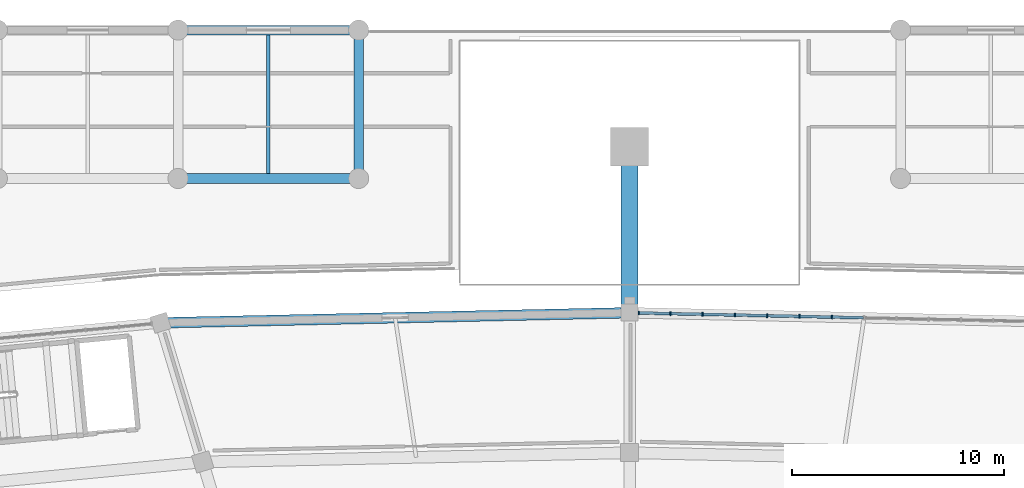
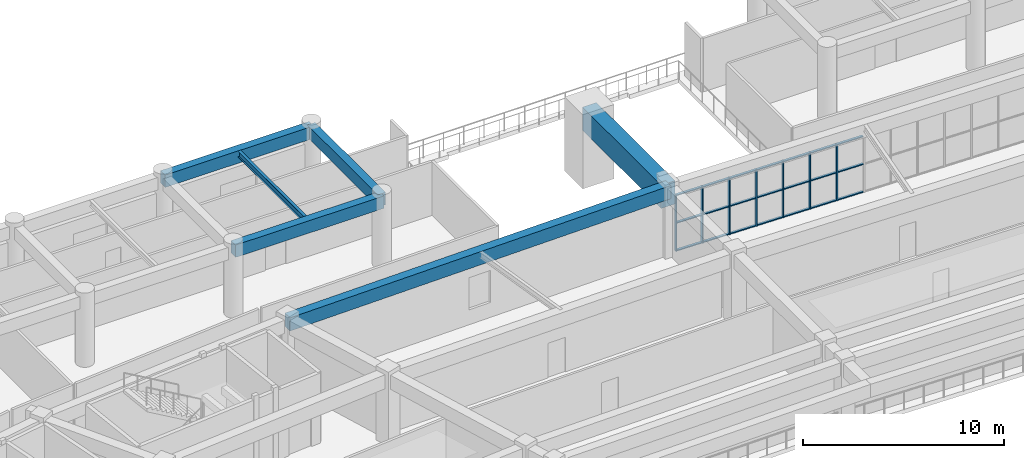
# One storey, part 67 of 145: 28 members, 6 beams, 1 element without a shape of its own.
"""IFC4 building model written with IfcOpenShell, lengths in metres."""

from ifc_helpers import new_model, si_unit, direction, frame, origin, origin_2d, place, context, subcontext, project, spatial, rectangle, i_section, extrude, material, layer, layer_set, material_profile, profile_set, type_object, element, aggregate, save


model = new_model("IFC4")

# Units and contexts
model_context = context("Model", 3, precision=1e-05, world=origin(), true_north=direction((0.0, 1.0)))
body_context = subcontext(model_context, "Body", "Model", "MODEL_VIEW")
ifc_project = project(units=[si_unit("LENGTHUNIT", "METRE"), si_unit("AREAUNIT", "SQUARE_METRE"), si_unit("VOLUMEUNIT", "CUBIC_METRE"), si_unit("PLANEANGLEUNIT", "RADIAN"), si_unit("MASSUNIT", "GRAM", prefix="KILO")], contexts=[model_context])

# Site, building, storey
site_placement = place(None, origin())
site = spatial("IfcSite", under=ifc_project, at=site_placement, CompositionType="ELEMENT")
building_placement = place(site_placement, origin())
building = spatial("IfcBuilding", under=site, at=building_placement, Name="Mphavela Belvedere Stadium", CompositionType="ELEMENT")
storey_placement = place(building_placement, frame((0.0, 0.0, 10.199951171875)))
storey = spatial("IfcBuildingStorey", under=building, at=storey_placement, Name="L02", CompositionType="ELEMENT", Elevation=10.199951171875)

# Beams
ifc_material_1 = material(Name="Concrete C50/60", Category="concrete")
ifc_material_profile_1 = material_profile(ifc_material_1, rectangle(XDim=0.800048828125, YDim=1.39990234375, at=origin_2d()), Name="RC 800x1400")
ifc_profile_set_1 = profile_set([ifc_material_profile_1], Name="Concrete C50/60")
beam_type_1 = type_object("IfcBeamType", Name="BM-BUTTRESS-TIE-1400", PredefinedType="BEAM", material=ifc_profile_set_1)
beam_1_placement = place(storey_placement, frame((115.0, 160.669921875, 3.550048828125), z_axis=(0.0, 1.0, 0.0), x_axis=(-1.0, 0.0, 0.0)))
element("IfcBeam", 1, at=beam_1_placement, inside=storey, type_object=beam_type_1, Name="Mast buttress tie girder L02", PredefinedType="BEAM", context=body_context, shape_type="SweptSolid", body=[
    extrude(rectangle(XDim=0.800048828125, YDim=1.39990234375, at=origin_2d()), origin(), (0.0, 0.0, 1.0), 7.830078125),
])
ifc_material_2 = material(Name="Steel S355", Category="steel")
ifc_material_profile_2 = material_profile(ifc_material_2, i_section(OverallWidth=0.169921875, OverallDepth=0.360107421875, WebThickness=0.008056640625, FlangeThickness=0.0126953125, at=origin_2d()), Name="IPE 360")
ifc_profile_set_2 = profile_set([ifc_material_profile_2], Name="Steel S355")
beam_type_2 = type_object("IfcBeamType", Name="BM-JOIST-IPE360", PredefinedType="JOIST", material=ifc_profile_set_2)
beam_2_placement = place(storey_placement, frame((97.962890625, 167.22509765625, 4.06005859375), z_axis=(0.0, 1.0, 0.0), x_axis=(-1.0, 0.0, 0.0)))
element("IfcBeam", 2, at=beam_2_placement, inside=storey, type_object=beam_type_2, Name="North Mast and Ceremonial End Forecourt secondary joist L02 12-7", PredefinedType="JOIST", context=body_context, shape_type="SweptSolid", body=[
    extrude(i_section(OverallWidth=0.169921875, OverallDepth=0.360107421875, WebThickness=0.008056640625, FlangeThickness=0.0126953125, at=origin_2d()), origin(), (0.0, 0.0, 1.0), 6.5498046875),
])
ifc_material_3 = material(Name="Concrete C40/50", Category="concrete")
ifc_material_profile_3 = material_profile(ifc_material_3, rectangle(XDim=0.449951171875, YDim=0.75, at=origin_2d()), Name="RC 450x750")
ifc_profile_set_3 = profile_set([ifc_material_profile_3], Name="Concrete C40/50")
beam_type_3 = type_object("IfcBeamType", Name="BM-RC450x750", PredefinedType="BEAM", material=ifc_profile_set_3)
for number, where, z_axis, x_axis, name in (
    (3, (93.7041015625, 167.0, 3.864990234375), (1.0, 0.0, 0.0), (0.0, 1.0, 0.0), "North Mast and Ceremonial End Forecourt entablature beam X L02 12-7"),
    (4, (93.7041015625, 174.0, 3.864990234375), (1.0, 0.0, 0.0), (0.0, 1.0, 0.0), "North Mast and Ceremonial End Forecourt entablature beam X L02 12-8"),
):
    element("IfcBeam", number, at=place(storey_placement, frame(where, z_axis=z_axis, x_axis=x_axis)), inside=storey, type_object=beam_type_3, Name=name, PredefinedType="BEAM", context=body_context, shape_type="SweptSolid", body=[
        extrude(rectangle(XDim=0.449951171875, YDim=0.75, at=origin_2d()), origin(), (0.0, 0.0, 1.0), 8.517822265625),
    ])
beam_3_placement = place(storey_placement, frame((102.221923828125, 167.0, 3.864990234375), z_axis=(0.0, 1.0, 0.0), x_axis=(-1.0, 0.0, 0.0)))
element("IfcBeam", 5, at=beam_3_placement, inside=storey, type_object=beam_type_3, Name="North Mast and Ceremonial End Forecourt entablature beam Y L02 13-7", PredefinedType="BEAM", context=body_context, shape_type="SweptSolid", body=[
    extrude(rectangle(XDim=0.449951171875, YDim=0.75, at=origin_2d()), origin(), (0.0, 0.0, 1.0), 7.0),
])
ifc_material_4 = material(Name="Concrete C40/50", Category="concrete")
ifc_material_profile_4 = material_profile(ifc_material_4, rectangle(XDim=0.5, YDim=0.800048828125, at=origin_2d()), Name="RC 500x800")
ifc_profile_set_4 = profile_set([ifc_material_profile_4], Name="Concrete C40/50")
beam_type_4 = type_object("IfcBeamType", Name="BM-SPANDREL-800", PredefinedType="SPANDREL", material=ifc_profile_set_4)
beam_4_placement = place(storey_placement, frame((115.0, 160.669921875, 3.85009765625), z_axis=(-0.999768359718, -0.021522706765, 0.0), x_axis=(0.021522706765, -0.999768359718, 0.0)))
element("IfcBeam", 6, at=beam_4_placement, inside=storey, type_object=beam_type_4, Name="Circumferential girder L02 R4-13", PredefinedType="SPANDREL", context=body_context, shape_type="SweptSolid", body=[
    extrude(rectangle(XDim=0.5, YDim=0.800048828125, at=origin_2d()), origin(), (0.0, 0.0, 1.0), 22.11962890625),
])

# Curtain wall, members
ifc_material_5 = material(Name="Anodised bronze unitised curtain wall framing")
ifc_layer = layer(ifc_material_5, 0.179931640625)
ifc_layer_set = layer_set([ifc_layer], Name="Anodised bronze unitised curtain wall framing")
curtain_wall_type = type_object("IfcCurtainWallType", Name="CW-UNIT-01", PredefinedType="USERDEFINED", material=ifc_layer_set)
curtain_wall_placement = place(storey_placement, origin())
curtain_wall = element("IfcCurtainWall", 7, at=curtain_wall_placement, inside=storey, type_object=curtain_wall_type, Name="Belvedere colonnade curtain wall L02-12", ObjectType="UNITISED CURTAIN WALL", PredefinedType="USERDEFINED")
ifc_material_6 = material(Name="Anodised bronze extruded aluminium", Category="aluminium")
ifc_material_profile_5 = material_profile(ifc_material_6, rectangle(XDim=0.179931640625, YDim=0.06494140625, at=origin_2d()), Name="CW-MUL 180x65")
ifc_profile_set_5 = profile_set([ifc_material_profile_5], Name="Anodised bronze extruded aluminium")
member_type_1 = type_object("IfcMemberType", Name="CWM-180x65", PredefinedType="MULLION", material=ifc_profile_set_5)
member_1_placement = place(storey_placement, frame((124.534423828125, 160.464599609375, 0.0), z_axis=(0.0, 0.0, 1.0), x_axis=(-0.021525304021, -0.999768303802, 0.0)))
member_1 = element("IfcMember", 8, at=member_1_placement, type_object=member_type_1, Name="CW-01 mullion 9", PredefinedType="MULLION", context=body_context, shape_type="SweptSolid", body=[
    extrude(rectangle(XDim=0.179931640625, YDim=0.06494140625, at=origin_2d()), origin(), (0.0, 0.0, 1.0), 3.420166015625),
])
member_2_placement = place(storey_placement, frame((123.01171875, 160.49755859375, 0.0), z_axis=(0.0, 0.0, 1.0), x_axis=(-0.021525304021, -0.999768303802, 0.0)))
member_2 = element("IfcMember", 9, at=member_2_placement, type_object=member_type_1, Name="CW-01 mullion 10", PredefinedType="MULLION", context=body_context, shape_type="SweptSolid", body=[
    extrude(rectangle(XDim=0.179931640625, YDim=0.06494140625, at=origin_2d()), origin(), (0.0, 0.0, 1.0), 3.420166015625),
])
member_3_placement = place(storey_placement, frame((121.489013671875, 160.5302734375, 0.0), z_axis=(0.0, 0.0, 1.0), x_axis=(-0.021525304021, -0.999768303802, 0.0)))
member_3 = element("IfcMember", 10, at=member_3_placement, type_object=member_type_1, Name="CW-01 mullion 11", PredefinedType="MULLION", context=body_context, shape_type="SweptSolid", body=[
    extrude(rectangle(XDim=0.179931640625, YDim=0.06494140625, at=origin_2d()), origin(), (0.0, 0.0, 1.0), 3.420166015625),
])
member_4_placement = place(storey_placement, frame((119.96630859375, 160.56298828125, 0.0), z_axis=(0.0, 0.0, 1.0), x_axis=(-0.021525304021, -0.999768303802, 0.0)))
member_4 = element("IfcMember", 11, at=member_4_placement, type_object=member_type_1, Name="CW-01 mullion 12", PredefinedType="MULLION", context=body_context, shape_type="SweptSolid", body=[
    extrude(rectangle(XDim=0.179931640625, YDim=0.06494140625, at=origin_2d()), origin(), (0.0, 0.0, 1.0), 3.420166015625),
])
member_5_placement = place(storey_placement, frame((118.443359375, 160.595947265625, 0.0), z_axis=(0.0, 0.0, 1.0), x_axis=(-0.021525304021, -0.999768303802, 0.0)))
member_5 = element("IfcMember", 12, at=member_5_placement, type_object=member_type_1, Name="CW-01 mullion 13", PredefinedType="MULLION", context=body_context, shape_type="SweptSolid", body=[
    extrude(rectangle(XDim=0.179931640625, YDim=0.06494140625, at=origin_2d()), origin(), (0.0, 0.0, 1.0), 3.420166015625),
])
member_6_placement = place(storey_placement, frame((116.920654296875, 160.628662109375, 0.0), z_axis=(0.0, 0.0, 1.0), x_axis=(-0.021525304021, -0.999768303802, 0.0)))
member_6 = element("IfcMember", 13, at=member_6_placement, type_object=member_type_1, Name="CW-01 mullion 14", PredefinedType="MULLION", context=body_context, shape_type="SweptSolid", body=[
    extrude(rectangle(XDim=0.179931640625, YDim=0.06494140625, at=origin_2d()), origin(), (0.0, 0.0, 1.0), 3.420166015625),
])
member_7_placement = place(storey_placement, frame((115.430419921875, 160.66064453125, 0.0), z_axis=(0.0, 0.0, 1.0), x_axis=(-0.021525304021, -0.999768303802, 0.0)))
member_7 = element("IfcMember", 14, at=member_7_placement, type_object=member_type_1, Name="CW-01 mullion 15", PredefinedType="MULLION", context=body_context, shape_type="SweptSolid", body=[
    extrude(rectangle(XDim=0.179931640625, YDim=0.06494140625, at=origin_2d()), origin(), (0.0, 0.0, 1.0), 3.420166015625),
])
ifc_material_7 = material(Name="Anodised bronze extruded aluminium", Category="aluminium")
ifc_material_profile_6 = material_profile(ifc_material_7, rectangle(XDim=0.139892578125, YDim=0.06005859375, at=origin_2d()), Name="CW-TRN 140x60")
ifc_profile_set_6 = profile_set([ifc_material_profile_6], Name="Anodised bronze extruded aluminium")
member_type_2 = type_object("IfcMemberType", Name="CWT-140x60", PredefinedType="USERDEFINED", material=ifc_profile_set_6)
member_8_placement = place(storey_placement, frame((126.02490234375, 160.4326171875, 0.030029296875), z_axis=(-0.999770307851, 0.021432021337, 0.0), x_axis=(-0.021432021337, -0.999770307851, 0.0)))
member_8 = element("IfcMember", 15, at=member_8_placement, type_object=member_type_2, Name="CW-01 transom 8.1", ObjectType="TRANSOM", PredefinedType="USERDEFINED", context=body_context, shape_type="SweptSolid", body=[
    extrude(rectangle(XDim=0.139892578125, YDim=0.06005859375, at=origin_2d()), origin(), (0.0, 0.0, 1.0), 1.4580078125),
])
member_9_placement = place(storey_placement, frame((126.02490234375, 160.4326171875, 1.7099609375), z_axis=(-0.999770307851, 0.021432021337, 0.0), x_axis=(-0.021432021337, -0.999770307851, 0.0)))
member_9 = element("IfcMember", 16, at=member_9_placement, type_object=member_type_2, Name="CW-01 transom 8.2", ObjectType="TRANSOM", PredefinedType="USERDEFINED", context=body_context, shape_type="SweptSolid", body=[
    extrude(rectangle(XDim=0.139892578125, YDim=0.06005859375, at=origin_2d()), origin(), (0.0, 0.0, 1.0), 1.4580078125),
])
member_10_placement = place(storey_placement, frame((126.02490234375, 160.4326171875, 3.39013671875), z_axis=(-0.999770307851, 0.021432021337, 0.0), x_axis=(-0.021432021337, -0.999770307851, 0.0)))
member_10 = element("IfcMember", 17, at=member_10_placement, type_object=member_type_2, Name="CW-01 transom 8.3", ObjectType="TRANSOM", PredefinedType="USERDEFINED", context=body_context, shape_type="SweptSolid", body=[
    extrude(rectangle(XDim=0.139892578125, YDim=0.06005859375, at=origin_2d()), origin(), (0.0, 0.0, 1.0), 1.4580078125),
])
member_11_placement = place(storey_placement, frame((124.501953125, 160.46533203125, 0.030029296875), z_axis=(-0.999766706153, 0.021599381191, 0.0), x_axis=(-0.021599381191, -0.999766706153, 0.0)))
member_11 = element("IfcMember", 18, at=member_11_placement, type_object=member_type_2, Name="CW-01 transom 9.1", ObjectType="TRANSOM", PredefinedType="USERDEFINED", context=body_context, shape_type="SweptSolid", body=[
    extrude(rectangle(XDim=0.139892578125, YDim=0.06005859375, at=origin_2d()), origin(), (0.0, 0.0, 1.0), 1.4580078125),
])
member_12_placement = place(storey_placement, frame((124.501953125, 160.46533203125, 1.7099609375), z_axis=(-0.999766706153, 0.021599381191, 0.0), x_axis=(-0.021599381191, -0.999766706153, 0.0)))
member_12 = element("IfcMember", 19, at=member_12_placement, type_object=member_type_2, Name="CW-01 transom 9.2", ObjectType="TRANSOM", PredefinedType="USERDEFINED", context=body_context, shape_type="SweptSolid", body=[
    extrude(rectangle(XDim=0.139892578125, YDim=0.06005859375, at=origin_2d()), origin(), (0.0, 0.0, 1.0), 1.4580078125),
])
member_13_placement = place(storey_placement, frame((124.501953125, 160.46533203125, 3.39013671875), z_axis=(-0.999766706153, 0.021599381191, 0.0), x_axis=(-0.021599381191, -0.999766706153, 0.0)))
member_13 = element("IfcMember", 20, at=member_13_placement, type_object=member_type_2, Name="CW-01 transom 9.3", ObjectType="TRANSOM", PredefinedType="USERDEFINED", context=body_context, shape_type="SweptSolid", body=[
    extrude(rectangle(XDim=0.139892578125, YDim=0.06005859375, at=origin_2d()), origin(), (0.0, 0.0, 1.0), 1.4580078125),
])
member_14_placement = place(storey_placement, frame((122.979248046875, 160.498291015625, 0.030029296875), z_axis=(-0.999770307851, 0.021432021337, 0.0), x_axis=(-0.021432021337, -0.999770307851, 0.0)))
member_14 = element("IfcMember", 21, at=member_14_placement, type_object=member_type_2, Name="CW-01 transom 10.1", ObjectType="TRANSOM", PredefinedType="USERDEFINED", context=body_context, shape_type="SweptSolid", body=[
    extrude(rectangle(XDim=0.139892578125, YDim=0.06005859375, at=origin_2d()), origin(), (0.0, 0.0, 1.0), 1.4580078125),
])
member_15_placement = place(storey_placement, frame((122.979248046875, 160.498291015625, 1.7099609375), z_axis=(-0.999770307851, 0.021432021337, 0.0), x_axis=(-0.021432021337, -0.999770307851, 0.0)))
member_15 = element("IfcMember", 22, at=member_15_placement, type_object=member_type_2, Name="CW-01 transom 10.2", ObjectType="TRANSOM", PredefinedType="USERDEFINED", context=body_context, shape_type="SweptSolid", body=[
    extrude(rectangle(XDim=0.139892578125, YDim=0.06005859375, at=origin_2d()), origin(), (0.0, 0.0, 1.0), 1.4580078125),
])
member_16_placement = place(storey_placement, frame((122.979248046875, 160.498291015625, 3.39013671875), z_axis=(-0.999770307851, 0.021432021337, 0.0), x_axis=(-0.021432021337, -0.999770307851, 0.0)))
member_16 = element("IfcMember", 23, at=member_16_placement, type_object=member_type_2, Name="CW-01 transom 10.3", ObjectType="TRANSOM", PredefinedType="USERDEFINED", context=body_context, shape_type="SweptSolid", body=[
    extrude(rectangle(XDim=0.139892578125, YDim=0.06005859375, at=origin_2d()), origin(), (0.0, 0.0, 1.0), 1.4580078125),
])
member_17_placement = place(storey_placement, frame((121.45654296875, 160.531005859375, 0.030029296875), z_axis=(-0.999770307851, 0.021432021337, 0.0), x_axis=(-0.021432021337, -0.999770307851, 0.0)))
member_17 = element("IfcMember", 24, at=member_17_placement, type_object=member_type_2, Name="CW-01 transom 11.1", ObjectType="TRANSOM", PredefinedType="USERDEFINED", context=body_context, shape_type="SweptSolid", body=[
    extrude(rectangle(XDim=0.139892578125, YDim=0.06005859375, at=origin_2d()), origin(), (0.0, 0.0, 1.0), 1.4580078125),
])
member_18_placement = place(storey_placement, frame((121.45654296875, 160.531005859375, 1.7099609375), z_axis=(-0.999770307851, 0.021432021337, 0.0), x_axis=(-0.021432021337, -0.999770307851, 0.0)))
member_18 = element("IfcMember", 25, at=member_18_placement, type_object=member_type_2, Name="CW-01 transom 11.2", ObjectType="TRANSOM", PredefinedType="USERDEFINED", context=body_context, shape_type="SweptSolid", body=[
    extrude(rectangle(XDim=0.139892578125, YDim=0.06005859375, at=origin_2d()), origin(), (0.0, 0.0, 1.0), 1.4580078125),
])
member_19_placement = place(storey_placement, frame((121.45654296875, 160.531005859375, 3.39013671875), z_axis=(-0.999770307851, 0.021432021337, 0.0), x_axis=(-0.021432021337, -0.999770307851, 0.0)))
member_19 = element("IfcMember", 26, at=member_19_placement, type_object=member_type_2, Name="CW-01 transom 11.3", ObjectType="TRANSOM", PredefinedType="USERDEFINED", context=body_context, shape_type="SweptSolid", body=[
    extrude(rectangle(XDim=0.139892578125, YDim=0.06005859375, at=origin_2d()), origin(), (0.0, 0.0, 1.0), 1.4580078125),
])
member_20_placement = place(storey_placement, frame((119.933837890625, 160.563720703125, 0.030029296875), z_axis=(-0.999766784248, 0.021595766103, 0.0), x_axis=(-0.021595766103, -0.999766784248, 0.0)))
member_20 = element("IfcMember", 27, at=member_20_placement, type_object=member_type_2, Name="CW-01 transom 12.1", ObjectType="TRANSOM", PredefinedType="USERDEFINED", context=body_context, shape_type="SweptSolid", body=[
    extrude(rectangle(XDim=0.139892578125, YDim=0.06005859375, at=origin_2d()), origin(), (0.0, 0.0, 1.0), 1.458251953125),
])
member_21_placement = place(storey_placement, frame((119.933837890625, 160.563720703125, 1.7099609375), z_axis=(-0.999766784248, 0.021595766103, 0.0), x_axis=(-0.021595766103, -0.999766784248, 0.0)))
member_21 = element("IfcMember", 28, at=member_21_placement, type_object=member_type_2, Name="CW-01 transom 12.2", ObjectType="TRANSOM", PredefinedType="USERDEFINED", context=body_context, shape_type="SweptSolid", body=[
    extrude(rectangle(XDim=0.139892578125, YDim=0.06005859375, at=origin_2d()), origin(), (0.0, 0.0, 1.0), 1.458251953125),
])
member_22_placement = place(storey_placement, frame((119.933837890625, 160.563720703125, 3.39013671875), z_axis=(-0.999766784248, 0.021595766103, 0.0), x_axis=(-0.021595766103, -0.999766784248, 0.0)))
member_22 = element("IfcMember", 29, at=member_22_placement, type_object=member_type_2, Name="CW-01 transom 12.3", ObjectType="TRANSOM", PredefinedType="USERDEFINED", context=body_context, shape_type="SweptSolid", body=[
    extrude(rectangle(XDim=0.139892578125, YDim=0.06005859375, at=origin_2d()), origin(), (0.0, 0.0, 1.0), 1.458251953125),
])
member_23_placement = place(storey_placement, frame((118.410888671875, 160.596435546875, 0.030029296875), z_axis=(-0.999766706153, 0.021599381191, 0.0), x_axis=(-0.021599381191, -0.999766706153, 0.0)))
member_23 = element("IfcMember", 30, at=member_23_placement, type_object=member_type_2, Name="CW-01 transom 13.1", ObjectType="TRANSOM", PredefinedType="USERDEFINED", context=body_context, shape_type="SweptSolid", body=[
    extrude(rectangle(XDim=0.139892578125, YDim=0.06005859375, at=origin_2d()), origin(), (0.0, 0.0, 1.0), 1.4580078125),
])
member_24_placement = place(storey_placement, frame((118.410888671875, 160.596435546875, 1.7099609375), z_axis=(-0.999766706153, 0.021599381191, 0.0), x_axis=(-0.021599381191, -0.999766706153, 0.0)))
member_24 = element("IfcMember", 31, at=member_24_placement, type_object=member_type_2, Name="CW-01 transom 13.2", ObjectType="TRANSOM", PredefinedType="USERDEFINED", context=body_context, shape_type="SweptSolid", body=[
    extrude(rectangle(XDim=0.139892578125, YDim=0.06005859375, at=origin_2d()), origin(), (0.0, 0.0, 1.0), 1.4580078125),
])
member_25_placement = place(storey_placement, frame((118.410888671875, 160.596435546875, 3.39013671875), z_axis=(-0.999766706153, 0.021599381191, 0.0), x_axis=(-0.021599381191, -0.999766706153, 0.0)))
member_25 = element("IfcMember", 32, at=member_25_placement, type_object=member_type_2, Name="CW-01 transom 13.3", ObjectType="TRANSOM", PredefinedType="USERDEFINED", context=body_context, shape_type="SweptSolid", body=[
    extrude(rectangle(XDim=0.139892578125, YDim=0.06005859375, at=origin_2d()), origin(), (0.0, 0.0, 1.0), 1.4580078125),
])
member_26_placement = place(storey_placement, frame((116.88818359375, 160.62939453125, 0.030029296875), z_axis=(-0.999770853856, 0.021406535925, 0.0), x_axis=(-0.021406535925, -0.999770853856, 0.0)))
member_26 = element("IfcMember", 33, at=member_26_placement, type_object=member_type_2, Name="CW-01 transom 14.1", ObjectType="TRANSOM", PredefinedType="USERDEFINED", context=body_context, shape_type="SweptSolid", body=[
    extrude(rectangle(XDim=0.139892578125, YDim=0.06005859375, at=origin_2d()), origin(), (0.0, 0.0, 1.0), 1.425537109375),
])
member_27_placement = place(storey_placement, frame((116.88818359375, 160.62939453125, 1.7099609375), z_axis=(-0.999770853856, 0.021406535925, 0.0), x_axis=(-0.021406535925, -0.999770853856, 0.0)))
member_27 = element("IfcMember", 34, at=member_27_placement, type_object=member_type_2, Name="CW-01 transom 14.2", ObjectType="TRANSOM", PredefinedType="USERDEFINED", context=body_context, shape_type="SweptSolid", body=[
    extrude(rectangle(XDim=0.139892578125, YDim=0.06005859375, at=origin_2d()), origin(), (0.0, 0.0, 1.0), 1.425537109375),
])
member_28_placement = place(storey_placement, frame((116.88818359375, 160.62939453125, 3.39013671875), z_axis=(-0.999770853856, 0.021406535925, 0.0), x_axis=(-0.021406535925, -0.999770853856, 0.0)))
member_28 = element("IfcMember", 35, at=member_28_placement, type_object=member_type_2, Name="CW-01 transom 14.3", ObjectType="TRANSOM", PredefinedType="USERDEFINED", context=body_context, shape_type="SweptSolid", body=[
    extrude(rectangle(XDim=0.139892578125, YDim=0.06005859375, at=origin_2d()), origin(), (0.0, 0.0, 1.0), 1.425537109375),
])
aggregate(curtain_wall, [member_1, member_2, member_3, member_4, member_5, member_6, member_7, member_8, member_9, member_10, member_11, member_12, member_13, member_14, member_15, member_16, member_17, member_18, member_19, member_20, member_21, member_22, member_23, member_24, member_25, member_26, member_27, member_28])

save(model, "model.ifc")
